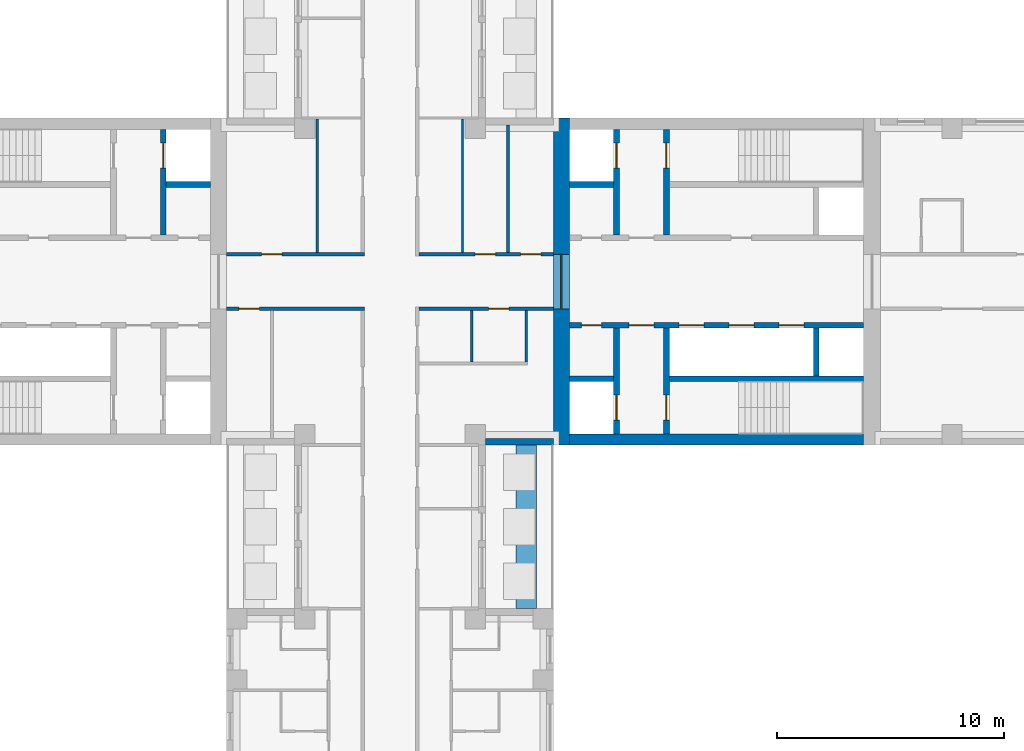
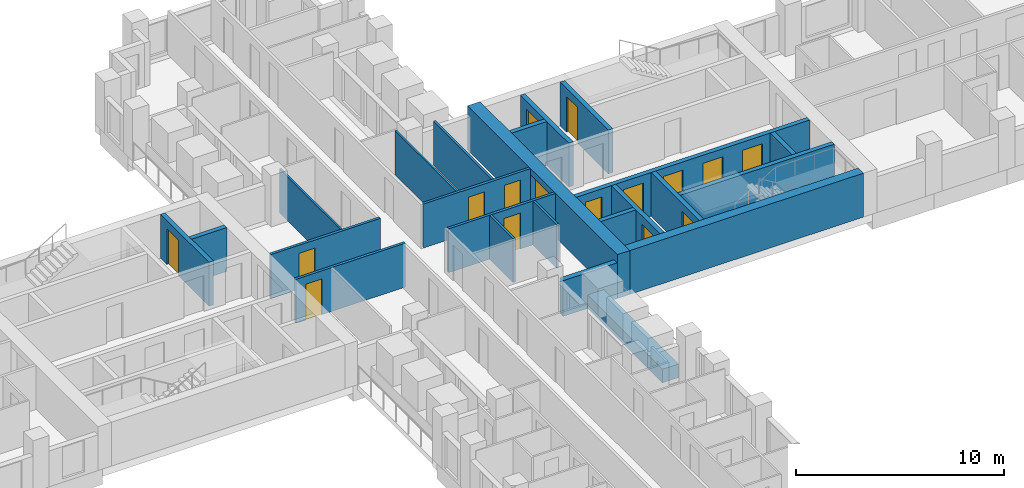
# One storey, part 8 of 14: 24 walls, 16 doors, 16 openings.
"""IFC4 building model written with IfcOpenShell, lengths in metres."""

from ifc_helpers import new_model, si_unit, direction, frame, frame_2d, origin, place, context, subcontext, project, spatial, rectangle, extrude, material, layer, layer_set, type_object, element, fill, save


model = new_model("IFC4")

# Units and contexts
model_context = context("Model", 3, precision=1e-05, world=origin(), true_north=direction((0.0, 1.0)))
body_context = subcontext(model_context, "Body", "Model", "MODEL_VIEW")
ifc_project = project(units=[si_unit("LENGTHUNIT", "METRE"), si_unit("AREAUNIT", "SQUARE_METRE"), si_unit("VOLUMEUNIT", "CUBIC_METRE"), si_unit("PLANEANGLEUNIT", "RADIAN"), si_unit("MASSUNIT", "GRAM", prefix="KILO")], contexts=[model_context])

# Site, building, storey
site_placement = place(None, origin())
site = spatial("IfcSite", under=ifc_project, at=site_placement, CompositionType="ELEMENT")
building_placement = place(site_placement, origin())
building = spatial("IfcBuilding", under=site, at=building_placement, Name="Fustian Cross Tower", CompositionType="ELEMENT")
storey_placement = place(building_placement, frame((0.0, 0.0, 99.89990234375)))
storey = spatial("IfcBuildingStorey", under=building, at=storey_placement, Name="L31", CompositionType="ELEMENT", Elevation=99.89990234375)

# Wall, opening, door
ifc_material_1 = material(Name="Plasterboard on steel stud", Category="steel")
ifc_layer_1 = layer(ifc_material_1, 0.14990234375)
ifc_layer_set_1 = layer_set([ifc_layer_1], Name="Plasterboard on steel stud")
wall_type_1 = type_object("IfcWallType", Name="COMPARTMENT WALL 150 EI 60", PredefinedType="PARTITIONING", material=ifc_layer_set_1)
wall_1_placement = place(storey_placement, frame((-7.199951171875, -1.199951171875, 0.0), z_axis=(0.0, 0.0, 1.0), x_axis=(1.0, 0.0, 0.0)))
wall_1 = element("IfcWall", 1, at=wall_1_placement, inside=storey, type_object=wall_type_1, Name="Partition 13", PredefinedType="PARTITIONING", context=body_context, shape_type="SweptSolid", body=[
    extrude(rectangle(XDim=6.074951171875, YDim=0.14990234375, at=frame_2d((3.03759765625, 0.0))), origin(), (0.0, 0.0, 1.0), 2.5751953125),
])
opening_1_placement = place(wall_1_placement, frame((0.550048828125, 0.0, 0.0)))
opening_1 = element("IfcOpeningElement", 2, at=opening_1_placement, cuts=wall_1, Name="Opening D14010", PredefinedType="OPENING", context=body_context, shape_type="SweptSolid", body=[
    extrude(rectangle(XDim=0.89990234375, YDim=2.10009765625, at=frame_2d((0.449951171875, 1.050048828125))), frame((0.0, 0.0849609375, 0.0), z_axis=(0.0, -1.0, 0.0), x_axis=(1.0, 0.0, 0.0)), (0.0, 0.0, 1.0), 0.169921875),
])
ifc_material_2 = material(Name="Timber fire door set", Category="wood")
door_type_1 = type_object("IfcDoorType", Name="FIRE SWING DOOR 900 FD30S", OperationType="SINGLE_SWING_LEFT", PredefinedType="DOOR", material=ifc_material_2)
door_1_placement = place(opening_1_placement, frame((0.89990234375, 0.0, 0.0), z_axis=(0.0, 0.0, 1.0), x_axis=(-1.0, 0.0, 0.0)))
door_1 = element("IfcDoor", 3, at=door_1_placement, inside=storey, type_object=door_type_1, Name="Door D14010", OperationType="SINGLE_SWING_RIGHT", OverallHeight=2.10009765625, OverallWidth=0.89990234375, PredefinedType="DOOR", context=body_context, shape_type="SweptSolid", body=[
    extrude(rectangle(XDim=0.89990234375, YDim=2.10009765625, at=frame_2d((0.449951171875, 1.050048828125))), frame((0.0, 0.02490234375, 0.0), z_axis=(0.0, -1.0, 0.0), x_axis=(1.0, 0.0, 0.0)), (0.0, 0.0, 1.0), 0.050048828125),
])
fill(opening_1, door_1)

wall_2_placement = place(storey_placement, frame((-7.199951171875, 1.199951171875, 0.0), z_axis=(0.0, 0.0, 1.0), x_axis=(1.0, 0.0, 0.0)))
wall_2 = element("IfcWall", 4, at=wall_2_placement, inside=storey, type_object=wall_type_1, Name="Partition 14", PredefinedType="PARTITIONING", context=body_context, shape_type="SweptSolid", body=[
    extrude(rectangle(XDim=6.074951171875, YDim=0.14990234375, at=frame_2d((3.03759765625, 0.0))), origin(), (0.0, 0.0, 1.0), 2.5751953125),
])
opening_2_placement = place(wall_2_placement, frame((1.550048828125, 0.0, 0.0)))
opening_2 = element("IfcOpeningElement", 5, at=opening_2_placement, cuts=wall_2, Name="Opening D14005", PredefinedType="OPENING", context=body_context, shape_type="SweptSolid", body=[
    extrude(rectangle(XDim=0.89990234375, YDim=2.10009765625, at=frame_2d((0.449951171875, 1.050048828125))), frame((0.0, 0.0849609375, 0.0), z_axis=(0.0, -1.0, 0.0), x_axis=(1.0, 0.0, 0.0)), (0.0, 0.0, 1.0), 0.169921875),
])
door_2_placement = place(opening_2_placement, origin())
door_2 = element("IfcDoor", 6, at=door_2_placement, inside=storey, type_object=door_type_1, Name="Door D14005", OperationType="SINGLE_SWING_LEFT", OverallHeight=2.10009765625, OverallWidth=0.89990234375, PredefinedType="DOOR", context=body_context, shape_type="SweptSolid", body=[
    extrude(rectangle(XDim=0.89990234375, YDim=2.10009765625, at=frame_2d((0.449951171875, 1.050048828125))), frame((0.0, 0.02490234375, 0.0), z_axis=(0.0, -1.0, 0.0), x_axis=(1.0, 0.0, 0.0)), (0.0, 0.0, 1.0), 0.050048828125),
])
fill(opening_2, door_2)

wall_3_placement = place(storey_placement, frame((1.27490234375, -1.199951171875, 0.0), z_axis=(0.0, 0.0, 1.0), x_axis=(1.0, 0.0, 0.0)))
wall_3 = element("IfcWall", 7, at=wall_3_placement, inside=storey, type_object=wall_type_1, Name="Partition 49", PredefinedType="PARTITIONING", context=body_context, shape_type="SweptSolid", body=[
    extrude(rectangle(XDim=5.925048828125, YDim=0.14990234375, at=frame_2d((2.96240234375, 0.0))), origin(), (0.0, 0.0, 1.0), 2.5751953125),
])
opening_3_placement = place(wall_3_placement, frame((3.074951171875, 0.0, 0.0)))
opening_3 = element("IfcOpeningElement", 8, at=opening_3_placement, cuts=wall_3, Name="Opening D14007", PredefinedType="OPENING", context=body_context, shape_type="SweptSolid", body=[
    extrude(rectangle(XDim=0.89990234375, YDim=2.10009765625, at=frame_2d((0.449951171875, 1.050048828125))), frame((0.0, 0.0849609375, 0.0), z_axis=(0.0, -1.0, 0.0), x_axis=(1.0, 0.0, 0.0)), (0.0, 0.0, 1.0), 0.169921875),
])
door_3_placement = place(opening_3_placement, frame((0.89990234375, 0.0, 0.0), z_axis=(0.0, 0.0, 1.0), x_axis=(-1.0, 0.0, 0.0)))
door_3 = element("IfcDoor", 9, at=door_3_placement, inside=storey, type_object=door_type_1, Name="Door D14007", OperationType="SINGLE_SWING_RIGHT", OverallHeight=2.10009765625, OverallWidth=0.89990234375, PredefinedType="DOOR", context=body_context, shape_type="SweptSolid", body=[
    extrude(rectangle(XDim=0.89990234375, YDim=2.10009765625, at=frame_2d((0.449951171875, 1.050048828125))), frame((0.0, 0.02490234375, 0.0), z_axis=(0.0, -1.0, 0.0), x_axis=(1.0, 0.0, 0.0)), (0.0, 0.0, 1.0), 0.050048828125),
])
fill(opening_3, door_3)

# Wall, openings, doors
wall_4_placement = place(storey_placement, frame((1.27490234375, 1.199951171875, 0.0), z_axis=(0.0, 0.0, 1.0), x_axis=(1.0, 0.0, 0.0)))
wall_4 = element("IfcWall", 10, at=wall_4_placement, inside=storey, type_object=wall_type_1, Name="Partition 51", PredefinedType="PARTITIONING", context=body_context, shape_type="SweptSolid", body=[
    extrude(rectangle(XDim=5.925048828125, YDim=0.14990234375, at=frame_2d((2.96240234375, 0.0))), origin(), (0.0, 0.0, 1.0), 2.5751953125),
])
opening_4_placement = place(wall_4_placement, frame((2.47509765625, 0.0, 0.0)))
opening_4 = element("IfcOpeningElement", 11, at=opening_4_placement, cuts=wall_4, Name="Opening D14002", PredefinedType="OPENING", context=body_context, shape_type="SweptSolid", body=[
    extrude(rectangle(XDim=0.89990234375, YDim=2.10009765625, at=frame_2d((0.449951171875, 1.050048828125))), frame((0.0, 0.0849609375, 0.0), z_axis=(0.0, -1.0, 0.0), x_axis=(1.0, 0.0, 0.0)), (0.0, 0.0, 1.0), 0.169921875),
])
opening_5_placement = place(wall_4_placement, frame((4.47509765625, 0.0, 0.0)))
opening_5 = element("IfcOpeningElement", 12, at=opening_5_placement, cuts=wall_4, Name="Opening D14003", PredefinedType="OPENING", context=body_context, shape_type="SweptSolid", body=[
    extrude(rectangle(XDim=0.89990234375, YDim=2.10009765625, at=frame_2d((0.449951171875, 1.050048828125))), frame((0.0, 0.0849609375, 0.0), z_axis=(0.0, -1.0, 0.0), x_axis=(1.0, 0.0, 0.0)), (0.0, 0.0, 1.0), 0.169921875),
])
door_4_placement = place(opening_4_placement, origin())
door_4 = element("IfcDoor", 13, at=door_4_placement, inside=storey, type_object=door_type_1, Name="Door D14002", OperationType="SINGLE_SWING_LEFT", OverallHeight=2.10009765625, OverallWidth=0.89990234375, PredefinedType="DOOR", context=body_context, shape_type="SweptSolid", body=[
    extrude(rectangle(XDim=0.89990234375, YDim=2.10009765625, at=frame_2d((0.449951171875, 1.050048828125))), frame((0.0, 0.02490234375, 0.0), z_axis=(0.0, -1.0, 0.0), x_axis=(1.0, 0.0, 0.0)), (0.0, 0.0, 1.0), 0.050048828125),
])
fill(opening_4, door_4)
door_5_placement = place(opening_5_placement, origin())
door_5 = element("IfcDoor", 14, at=door_5_placement, inside=storey, type_object=door_type_1, Name="Door D14003", OperationType="SINGLE_SWING_LEFT", OverallHeight=2.10009765625, OverallWidth=0.89990234375, PredefinedType="DOOR", context=body_context, shape_type="SweptSolid", body=[
    extrude(rectangle(XDim=0.89990234375, YDim=2.10009765625, at=frame_2d((0.449951171875, 1.050048828125))), frame((0.0, 0.02490234375, 0.0), z_axis=(0.0, -1.0, 0.0), x_axis=(1.0, 0.0, 0.0)), (0.0, 0.0, 1.0), 0.050048828125),
])
fill(opening_5, door_5)

# Wall, opening, door
ifc_material_3 = material(Name="Concrete C70/85", Category="concrete")
ifc_layer_2 = layer(ifc_material_3, 0.699951171875)
ifc_layer_set_2 = layer_set([ifc_layer_2], Name="Concrete C70/85")
wall_type_2 = type_object("IfcWallType", Name="CORE END WALL 700 C70/85", PredefinedType="SHEAR", material=ifc_layer_set_2)
wall_5_placement = place(storey_placement, frame((7.550048828125, -7.199951171875, 0.0), z_axis=(0.0, 0.0, 1.0), x_axis=(0.0, 1.0, 0.0)))
wall_5 = element("IfcWall", 15, at=wall_5_placement, inside=storey, type_object=wall_type_2, Name="Core end wall", PredefinedType="SHEAR", context=body_context, shape_type="SweptSolid", body=[
    extrude(rectangle(XDim=14.39990234375, YDim=0.699951171875, at=frame_2d((7.199951171875, 0.0))), origin(), (0.0, 0.0, 1.0), 2.5751953125),
])
opening_6_placement = place(wall_5_placement, frame((6.0, 0.0, 0.0)))
opening_6 = element("IfcOpeningElement", 16, at=opening_6_placement, cuts=wall_5, Name="Opening CD-09-12", PredefinedType="OPENING", context=body_context, shape_type="SweptSolid", body=[
    extrude(rectangle(XDim=2.39990234375, YDim=2.199951171875, at=frame_2d((1.199951171875, 1.10009765625))), frame((0.0, 0.35986328125, 0.0), z_axis=(0.0, -1.0, 0.0), x_axis=(1.0, 0.0, 0.0)), (0.0, 0.0, 1.0), 0.719970703125),
])
ifc_material_4 = material(Name="Steel", Category="steel")
door_type_2 = type_object("IfcDoorType", Name="FIRE DOOR FD30S DOUBLE 2400X2200", OperationType="DOUBLE_DOOR_DOUBLE_SWING", PredefinedType="DOOR", material=ifc_material_4)
door_6_placement = place(opening_6_placement, frame((2.39990234375, 0.0, 0.0), z_axis=(0.0, 0.0, 1.0), x_axis=(-1.0, 0.0, 0.0)))
door_6 = element("IfcDoor", 17, at=door_6_placement, inside=storey, type_object=door_type_2, Name="Core door CD-09-12", OperationType="DOUBLE_DOOR_DOUBLE_SWING", OverallHeight=2.199951171875, OverallWidth=2.39990234375, PredefinedType="DOOR", context=body_context, shape_type="SweptSolid", body=[
    extrude(rectangle(XDim=2.39990234375, YDim=2.199951171875, at=frame_2d((1.199951171875, 1.10009765625))), frame((0.0, 0.02490234375, 0.0), z_axis=(0.0, -1.0, 0.0), x_axis=(1.0, 0.0, 0.0)), (0.0, 0.0, 1.0), 0.050048828125),
])
fill(opening_6, door_6)

# Wall
ifc_material_5 = material(Name="Concrete C70/85", Category="concrete")
ifc_layer_3 = layer(ifc_material_5, 0.5)
ifc_layer_set_3 = layer_set([ifc_layer_3], Name="Concrete C70/85")
wall_type_3 = type_object("IfcWallType", Name="CORE FACADE WALL 500 C70/85", PredefinedType="SHEAR", material=ifc_layer_set_3)
wall_6_placement = place(storey_placement, frame((7.89990234375, -6.949951171875, 0.0), z_axis=(0.0, 0.0, 1.0), x_axis=(1.0, 0.0, 0.0)))
element("IfcWall", 18, at=wall_6_placement, inside=storey, type_object=wall_type_3, Name="Core facade wall", PredefinedType="SHEAR", context=body_context, shape_type="SweptSolid", body=[
    extrude(rectangle(XDim=12.9501953125, YDim=0.5, at=frame_2d((6.47509765625, 0.0))), origin(), (0.0, 0.0, 1.0), 2.5751953125),
])

# Wall, openings, doors
ifc_material_6 = material(Name="Concrete C50/60", Category="concrete")
ifc_layer_4 = layer(ifc_material_6, 0.25)
ifc_layer_set_4 = layer_set([ifc_layer_4], Name="Concrete C50/60")
wall_type_4 = type_object("IfcWallType", Name="CORE LOBBY WALL 250 C50/60", PredefinedType="SHEAR", material=ifc_layer_set_4)
wall_7_placement = place(storey_placement, frame((7.89990234375, -1.925048828125, 0.0), z_axis=(0.0, 0.0, 1.0), x_axis=(1.0, 0.0, 0.0)))
wall_7 = element("IfcWall", 19, at=wall_7_placement, inside=storey, type_object=wall_type_4, Name="Core lobby wall", PredefinedType="SHEAR", context=body_context, shape_type="SweptSolid", body=[
    extrude(rectangle(XDim=12.9501953125, YDim=0.25, at=frame_2d((6.47509765625, 0.0))), origin(), (0.0, 0.0, 1.0), 2.5751953125),
])
opening_7_placement = place(wall_7_placement, frame((4.824951171875, 0.0, 0.0)))
opening_7 = element("IfcOpeningElement", 20, at=opening_7_placement, cuts=wall_7, Name="Opening LD", PredefinedType="OPENING", context=body_context, shape_type="SweptSolid", body=[
    extrude(rectangle(XDim=1.10009765625, YDim=2.10009765625, at=frame_2d((0.550048828125, 1.050048828125))), frame((0.0, 0.135009765625, 0.0), z_axis=(0.0, -1.0, 0.0), x_axis=(1.0, 0.0, 0.0)), (0.0, 0.0, 1.0), 0.27001953125),
])
opening_8_placement = place(wall_7_placement, frame((7.02490234375, 0.0, 0.0)))
opening_8 = element("IfcOpeningElement", 21, at=opening_8_placement, cuts=wall_7, Name="Opening LD", PredefinedType="OPENING", context=body_context, shape_type="SweptSolid", body=[
    extrude(rectangle(XDim=1.10009765625, YDim=2.10009765625, at=frame_2d((0.550048828125, 1.050048828125))), frame((0.0, 0.135009765625, 0.0), z_axis=(0.0, -1.0, 0.0), x_axis=(1.0, 0.0, 0.0)), (0.0, 0.0, 1.0), 0.27001953125),
])
opening_9_placement = place(wall_7_placement, frame((9.22509765625, 0.0, 0.0)))
opening_9 = element("IfcOpeningElement", 22, at=opening_9_placement, cuts=wall_7, Name="Opening LD", PredefinedType="OPENING", context=body_context, shape_type="SweptSolid", body=[
    extrude(rectangle(XDim=1.10009765625, YDim=2.10009765625, at=frame_2d((0.550048828125, 1.050048828125))), frame((0.0, 0.135009765625, 0.0), z_axis=(0.0, -1.0, 0.0), x_axis=(1.0, 0.0, 0.0)), (0.0, 0.0, 1.0), 0.27001953125),
])
opening_10_placement = place(wall_7_placement, frame((0.52490234375, 0.0, 0.0)))
opening_10 = element("IfcOpeningElement", 23, at=opening_10_placement, cuts=wall_7, Name="Opening CD-09-09", PredefinedType="OPENING", context=body_context, shape_type="SweptSolid", body=[
    extrude(rectangle(XDim=0.89990234375, YDim=2.10009765625, at=frame_2d((0.449951171875, 1.050048828125))), frame((0.0, 0.135009765625, 0.0), z_axis=(0.0, -1.0, 0.0), x_axis=(1.0, 0.0, 0.0)), (0.0, 0.0, 1.0), 0.27001953125),
])
opening_11_placement = place(wall_7_placement, frame((2.625, 0.0, 0.0)))
opening_11 = element("IfcOpeningElement", 24, at=opening_11_placement, cuts=wall_7, Name="Opening CD-09-11", PredefinedType="OPENING", context=body_context, shape_type="SweptSolid", body=[
    extrude(rectangle(XDim=1.10009765625, YDim=2.10009765625, at=frame_2d((0.550048828125, 1.050048828125))), frame((0.0, 0.135009765625, 0.0), z_axis=(0.0, -1.0, 0.0), x_axis=(1.0, 0.0, 0.0)), (0.0, 0.0, 1.0), 0.27001953125),
])
ifc_material_7 = material(Name="Steel", Category="steel")
door_type_3 = type_object("IfcDoorType", Name="FIRE DOOR FD30S 1100X2100", OperationType="SINGLE_SWING_LEFT", PredefinedType="DOOR", material=ifc_material_7)
door_7_placement = place(opening_11_placement, frame((1.10009765625, 0.0, 0.0), z_axis=(0.0, 0.0, 1.0), x_axis=(-1.0, 0.0, 0.0)))
door_7 = element("IfcDoor", 25, at=door_7_placement, inside=storey, type_object=door_type_3, Name="Core door CD-09-11", OperationType="SINGLE_SWING_RIGHT", OverallHeight=2.10009765625, OverallWidth=1.10009765625, PredefinedType="DOOR", context=body_context, shape_type="SweptSolid", body=[
    extrude(rectangle(XDim=1.10009765625, YDim=2.10009765625, at=frame_2d((0.550048828125, 1.050048828125))), frame((0.0, 0.02490234375, 0.0), z_axis=(0.0, -1.0, 0.0), x_axis=(1.0, 0.0, 0.0)), (0.0, 0.0, 1.0), 0.050048828125),
])
fill(opening_11, door_7)
ifc_material_8 = material(Name="Steel", Category="steel")
door_type_4 = type_object("IfcDoorType", Name="FIRE DOOR FD30S 900X2100", OperationType="SINGLE_SWING_LEFT", PredefinedType="DOOR", material=ifc_material_8)
door_8_placement = place(opening_10_placement, frame((0.89990234375, 0.0, 0.0), z_axis=(0.0, 0.0, 1.0), x_axis=(-1.0, 0.0, 0.0)))
door_8 = element("IfcDoor", 26, at=door_8_placement, inside=storey, type_object=door_type_4, Name="Core door CD-09-09", OperationType="SINGLE_SWING_RIGHT", OverallHeight=2.10009765625, OverallWidth=0.89990234375, PredefinedType="DOOR", context=body_context, shape_type="SweptSolid", body=[
    extrude(rectangle(XDim=0.89990234375, YDim=2.10009765625, at=frame_2d((0.449951171875, 1.050048828125))), frame((0.0, 0.02490234375, 0.0), z_axis=(0.0, -1.0, 0.0), x_axis=(1.0, 0.0, 0.0)), (0.0, 0.0, 1.0), 0.050048828125),
])
fill(opening_10, door_8)
ifc_material_9 = material(Name="Stainless steel", Category="steel")
door_type_5 = type_object("IfcDoorType", Name="LIFT LANDING DOOR 1100X2100", OperationType="SLIDING_TO_LEFT", PredefinedType="DOOR", material=ifc_material_9)
door_9_placement = place(opening_7_placement, origin())
door_9 = element("IfcDoor", 27, at=door_9_placement, inside=storey, type_object=door_type_5, Name="Landing door LR1", OperationType="SLIDING_TO_LEFT", OverallHeight=2.10009765625, OverallWidth=1.10009765625, PredefinedType="DOOR", context=body_context, shape_type="SweptSolid", body=[
    extrude(rectangle(XDim=1.10009765625, YDim=2.10009765625, at=frame_2d((0.550048828125, 1.050048828125))), frame((0.0, 0.02490234375, 0.0), z_axis=(0.0, -1.0, 0.0), x_axis=(1.0, 0.0, 0.0)), (0.0, 0.0, 1.0), 0.050048828125),
])
fill(opening_7, door_9)
door_10_placement = place(opening_8_placement, origin())
door_10 = element("IfcDoor", 28, at=door_10_placement, inside=storey, type_object=door_type_5, Name="Landing door LR2", OperationType="SLIDING_TO_LEFT", OverallHeight=2.10009765625, OverallWidth=1.10009765625, PredefinedType="DOOR", context=body_context, shape_type="SweptSolid", body=[
    extrude(rectangle(XDim=1.10009765625, YDim=2.10009765625, at=frame_2d((0.550048828125, 1.050048828125))), frame((0.0, 0.02490234375, 0.0), z_axis=(0.0, -1.0, 0.0), x_axis=(1.0, 0.0, 0.0)), (0.0, 0.0, 1.0), 0.050048828125),
])
fill(opening_8, door_10)
door_11_placement = place(opening_9_placement, origin())
door_11 = element("IfcDoor", 29, at=door_11_placement, inside=storey, type_object=door_type_5, Name="Landing door LR3", OperationType="SLIDING_TO_LEFT", OverallHeight=2.10009765625, OverallWidth=1.10009765625, PredefinedType="DOOR", context=body_context, shape_type="SweptSolid", body=[
    extrude(rectangle(XDim=1.10009765625, YDim=2.10009765625, at=frame_2d((0.550048828125, 1.050048828125))), frame((0.0, 0.02490234375, 0.0), z_axis=(0.0, -1.0, 0.0), x_axis=(1.0, 0.0, 0.0)), (0.0, 0.0, 1.0), 0.050048828125),
])
fill(opening_9, door_11)

# Wall
ifc_material_10 = material(Name="Concrete C50/60", Category="concrete")
ifc_layer_5 = layer(ifc_material_10, 0.25)
ifc_layer_set_5 = layer_set([ifc_layer_5], Name="Concrete C50/60")
wall_type_5 = type_object("IfcWallType", Name="CORE SHAFT WALL 250 C50/60", PredefinedType="SHEAR", material=ifc_layer_set_5)
wall_8_placement = place(storey_placement, frame((7.89990234375, 4.27490234375, 0.0), z_axis=(0.0, 0.0, 1.0), x_axis=(1.0, 0.0, 0.0)))
element("IfcWall", 30, at=wall_8_placement, inside=storey, type_object=wall_type_5, Name="Core shaft wall", PredefinedType="SHEAR", context=body_context, shape_type="SweptSolid", body=[
    extrude(rectangle(XDim=1.9501953125, YDim=0.25, at=frame_2d((0.97509765625, 0.0))), origin(), (0.0, 0.0, 1.0), 2.5751953125),
])

# Wall, opening, door
wall_9_placement = place(storey_placement, frame((9.97509765625, 2.050048828125, 0.0), z_axis=(0.0, 0.0, 1.0), x_axis=(0.0, 1.0, 0.0)))
wall_9 = element("IfcWall", 31, at=wall_9_placement, inside=storey, type_object=wall_type_5, Name="Core shaft wall", PredefinedType="SHEAR", context=body_context, shape_type="SweptSolid", body=[
    extrude(rectangle(XDim=4.64990234375, YDim=0.25, at=frame_2d((2.324951171875, 0.0))), origin(), (0.0, 0.0, 1.0), 2.5751953125),
])
opening_12_placement = place(wall_9_placement, frame((2.949951171875, 0.0, 0.0)))
opening_12 = element("IfcOpeningElement", 32, at=opening_12_placement, cuts=wall_9, Name="Opening LD", PredefinedType="OPENING", context=body_context, shape_type="SweptSolid", body=[
    extrude(rectangle(XDim=1.10009765625, YDim=2.10009765625, at=frame_2d((0.550048828125, 1.050048828125))), frame((0.0, 0.135009765625, 0.0), z_axis=(0.0, -1.0, 0.0), x_axis=(1.0, 0.0, 0.0)), (0.0, 0.0, 1.0), 0.27001953125),
])
door_12_placement = place(opening_12_placement, origin())
door_12 = element("IfcDoor", 33, at=door_12_placement, inside=storey, type_object=door_type_5, Name="Landing door FL1", OperationType="SLIDING_TO_LEFT", OverallHeight=2.10009765625, OverallWidth=1.10009765625, PredefinedType="DOOR", context=body_context, shape_type="SweptSolid", body=[
    extrude(rectangle(XDim=1.10009765625, YDim=2.10009765625, at=frame_2d((0.550048828125, 1.050048828125))), frame((0.0, 0.02490234375, 0.0), z_axis=(0.0, -1.0, 0.0), x_axis=(1.0, 0.0, 0.0)), (0.0, 0.0, 1.0), 0.050048828125),
])
fill(opening_12, door_12)

wall_10_placement = place(storey_placement, frame((12.175048828125, 2.050048828125, 0.0), z_axis=(0.0, 0.0, 1.0), x_axis=(0.0, 1.0, 0.0)))
wall_10 = element("IfcWall", 34, at=wall_10_placement, inside=storey, type_object=wall_type_5, Name="Core shaft wall", PredefinedType="SHEAR", context=body_context, shape_type="SweptSolid", body=[
    extrude(rectangle(XDim=4.64990234375, YDim=0.25, at=frame_2d((2.324951171875, 0.0))), origin(), (0.0, 0.0, 1.0), 2.5751953125),
])
opening_13_placement = place(wall_10_placement, frame((2.949951171875, 0.0, 0.0)))
opening_13 = element("IfcOpeningElement", 35, at=opening_13_placement, cuts=wall_10, Name="Opening CD-09-06", PredefinedType="OPENING", context=body_context, shape_type="SweptSolid", body=[
    extrude(rectangle(XDim=1.10009765625, YDim=2.10009765625, at=frame_2d((0.550048828125, 1.050048828125))), frame((0.0, 0.135009765625, 0.0), z_axis=(0.0, -1.0, 0.0), x_axis=(1.0, 0.0, 0.0)), (0.0, 0.0, 1.0), 0.27001953125),
])
ifc_material_11 = material(Name="Steel", Category="steel")
door_type_6 = type_object("IfcDoorType", Name="FIRE DOOR FD60S 1100X2100", OperationType="SINGLE_SWING_LEFT", PredefinedType="DOOR", material=ifc_material_11)
door_13_placement = place(opening_13_placement, frame((1.10009765625, 0.0, 0.0), z_axis=(0.0, 0.0, 1.0), x_axis=(-1.0, 0.0, 0.0)))
door_13 = element("IfcDoor", 36, at=door_13_placement, inside=storey, type_object=door_type_6, Name="Core door CD-09-06", OperationType="SINGLE_SWING_RIGHT", OverallHeight=2.10009765625, OverallWidth=1.10009765625, PredefinedType="DOOR", context=body_context, shape_type="SweptSolid", body=[
    extrude(rectangle(XDim=1.10009765625, YDim=2.10009765625, at=frame_2d((0.550048828125, 1.050048828125))), frame((0.0, 0.02490234375, 0.0), z_axis=(0.0, -1.0, 0.0), x_axis=(1.0, 0.0, 0.0)), (0.0, 0.0, 1.0), 0.050048828125),
])
fill(opening_13, door_13)

# Walls
wall_11_placement = place(storey_placement, frame((7.89990234375, -4.27490234375, 0.0), z_axis=(0.0, 0.0, 1.0), x_axis=(1.0, 0.0, 0.0)))
element("IfcWall", 37, at=wall_11_placement, inside=storey, type_object=wall_type_5, Name="Core shaft wall", PredefinedType="SHEAR", context=body_context, shape_type="SweptSolid", body=[
    extrude(rectangle(XDim=1.9501953125, YDim=0.25, at=frame_2d((0.97509765625, 0.0))), origin(), (0.0, 0.0, 1.0), 2.5751953125),
])
wall_12_placement = place(storey_placement, frame((12.300048828125, -4.27490234375, 0.0), z_axis=(0.0, 0.0, 1.0), x_axis=(1.0, 0.0, 0.0)))
element("IfcWall", 38, at=wall_12_placement, inside=storey, type_object=wall_type_5, Name="Core shaft wall", PredefinedType="SHEAR", context=body_context, shape_type="SweptSolid", body=[
    extrude(rectangle(XDim=8.550048828125, YDim=0.25, at=frame_2d((4.27490234375, 0.0))), origin(), (0.0, 0.0, 1.0), 2.5751953125),
])

# Wall, opening, door
wall_13_placement = place(storey_placement, frame((9.97509765625, -2.050048828125, 0.0), z_axis=(0.0, 0.0, 1.0), x_axis=(0.0, -1.0, 0.0)))
wall_13 = element("IfcWall", 39, at=wall_13_placement, inside=storey, type_object=wall_type_5, Name="Core shaft wall", PredefinedType="SHEAR", context=body_context, shape_type="SweptSolid", body=[
    extrude(rectangle(XDim=4.64990234375, YDim=0.25, at=frame_2d((2.324951171875, 0.0))), origin(), (0.0, 0.0, 1.0), 2.5751953125),
])
opening_14_placement = place(wall_13_placement, frame((2.949951171875, 0.0, 0.0)))
opening_14 = element("IfcOpeningElement", 40, at=opening_14_placement, cuts=wall_13, Name="Opening LD", PredefinedType="OPENING", context=body_context, shape_type="SweptSolid", body=[
    extrude(rectangle(XDim=1.10009765625, YDim=2.10009765625, at=frame_2d((0.550048828125, 1.050048828125))), frame((0.0, 0.135009765625, 0.0), z_axis=(0.0, -1.0, 0.0), x_axis=(1.0, 0.0, 0.0)), (0.0, 0.0, 1.0), 0.27001953125),
])
door_14_placement = place(opening_14_placement, origin())
door_14 = element("IfcDoor", 41, at=door_14_placement, inside=storey, type_object=door_type_5, Name="Landing door SV1", OperationType="SLIDING_TO_LEFT", OverallHeight=2.10009765625, OverallWidth=1.10009765625, PredefinedType="DOOR", context=body_context, shape_type="SweptSolid", body=[
    extrude(rectangle(XDim=1.10009765625, YDim=2.10009765625, at=frame_2d((0.550048828125, 1.050048828125))), frame((0.0, 0.02490234375, 0.0), z_axis=(0.0, -1.0, 0.0), x_axis=(1.0, 0.0, 0.0)), (0.0, 0.0, 1.0), 0.050048828125),
])
fill(opening_14, door_14)

wall_14_placement = place(storey_placement, frame((12.175048828125, -2.050048828125, 0.0), z_axis=(0.0, 0.0, 1.0), x_axis=(0.0, -1.0, 0.0)))
wall_14 = element("IfcWall", 42, at=wall_14_placement, inside=storey, type_object=wall_type_5, Name="Core shaft wall", PredefinedType="SHEAR", context=body_context, shape_type="SweptSolid", body=[
    extrude(rectangle(XDim=4.64990234375, YDim=0.25, at=frame_2d((2.324951171875, 0.0))), origin(), (0.0, 0.0, 1.0), 2.5751953125),
])
opening_15_placement = place(wall_14_placement, frame((2.949951171875, 0.0, 0.0)))
opening_15 = element("IfcOpeningElement", 43, at=opening_15_placement, cuts=wall_14, Name="Opening CD-09-07", PredefinedType="OPENING", context=body_context, shape_type="SweptSolid", body=[
    extrude(rectangle(XDim=1.10009765625, YDim=2.10009765625, at=frame_2d((0.550048828125, 1.050048828125))), frame((0.0, 0.135009765625, 0.0), z_axis=(0.0, -1.0, 0.0), x_axis=(1.0, 0.0, 0.0)), (0.0, 0.0, 1.0), 0.27001953125),
])
door_15_placement = place(opening_15_placement, origin())
door_15 = element("IfcDoor", 44, at=door_15_placement, inside=storey, type_object=door_type_6, Name="Core door CD-09-07", OperationType="SINGLE_SWING_LEFT", OverallHeight=2.10009765625, OverallWidth=1.10009765625, PredefinedType="DOOR", context=body_context, shape_type="SweptSolid", body=[
    extrude(rectangle(XDim=1.10009765625, YDim=2.10009765625, at=frame_2d((0.550048828125, 1.050048828125))), frame((0.0, 0.02490234375, 0.0), z_axis=(0.0, -1.0, 0.0), x_axis=(1.0, 0.0, 0.0)), (0.0, 0.0, 1.0), 0.050048828125),
])
fill(opening_15, door_15)

# Wall
wall_15_placement = place(storey_placement, frame((-7.89990234375, 4.27490234375, 0.0), z_axis=(0.0, 0.0, 1.0), x_axis=(-1.0, 0.0, 0.0)))
element("IfcWall", 45, at=wall_15_placement, inside=storey, type_object=wall_type_5, Name="Core shaft wall", PredefinedType="SHEAR", context=body_context, shape_type="SweptSolid", body=[
    extrude(rectangle(XDim=1.9501953125, YDim=0.25, at=frame_2d((0.97509765625, 0.0))), origin(), (0.0, 0.0, 1.0), 2.5751953125),
])

# Wall, opening, door
wall_16_placement = place(storey_placement, frame((-9.97509765625, 2.050048828125, 0.0), z_axis=(0.0, 0.0, 1.0), x_axis=(0.0, 1.0, 0.0)))
wall_16 = element("IfcWall", 46, at=wall_16_placement, inside=storey, type_object=wall_type_5, Name="Core shaft wall", PredefinedType="SHEAR", context=body_context, shape_type="SweptSolid", body=[
    extrude(rectangle(XDim=4.64990234375, YDim=0.25, at=frame_2d((2.324951171875, 0.0))), origin(), (0.0, 0.0, 1.0), 2.5751953125),
])
opening_16_placement = place(wall_16_placement, frame((2.949951171875, 0.0, 0.0)))
opening_16 = element("IfcOpeningElement", 47, at=opening_16_placement, cuts=wall_16, Name="Opening LD", PredefinedType="OPENING", context=body_context, shape_type="SweptSolid", body=[
    extrude(rectangle(XDim=1.10009765625, YDim=2.10009765625, at=frame_2d((0.550048828125, 1.050048828125))), frame((0.0, 0.135009765625, 0.0), z_axis=(0.0, -1.0, 0.0), x_axis=(1.0, 0.0, 0.0)), (0.0, 0.0, 1.0), 0.27001953125),
])
door_16_placement = place(opening_16_placement, origin())
door_16 = element("IfcDoor", 48, at=door_16_placement, inside=storey, type_object=door_type_5, Name="Landing door FL1W", OperationType="SLIDING_TO_LEFT", OverallHeight=2.10009765625, OverallWidth=1.10009765625, PredefinedType="DOOR", context=body_context, shape_type="SweptSolid", body=[
    extrude(rectangle(XDim=1.10009765625, YDim=2.10009765625, at=frame_2d((0.550048828125, 1.050048828125))), frame((0.0, 0.02490234375, 0.0), z_axis=(0.0, -1.0, 0.0), x_axis=(1.0, 0.0, 0.0)), (0.0, 0.0, 1.0), 0.050048828125),
])
fill(opening_16, door_16)

# Walls
ifc_material_12 = material(Name="Plasterboard on steel stud", Category="steel")
ifc_layer_6 = layer(ifc_material_12, 0.10009765625)
ifc_layer_set_6 = layer_set([ifc_layer_6], Name="Plasterboard on steel stud")
wall_type_6 = type_object("IfcWallType", Name="PARTITION 100 STUD", PredefinedType="PARTITIONING", material=ifc_layer_set_6)
for number, where, z_axis, x_axis, name in (
    (49, (-3.199951171875, 1.27490234375, 0.0), (0.0, 0.0, 1.0), (0.0, 1.0, 0.0), "Partition 38"),
    (50, (3.199951171875, 1.27490234375, 0.0), (0.0, 0.0, 1.0), (0.0, 1.0, 0.0), "Partition 67"),
):
    element("IfcWall", number, at=place(storey_placement, frame(where, z_axis=z_axis, x_axis=x_axis)), inside=storey, type_object=wall_type_6, Name=name, PredefinedType="PARTITIONING", context=body_context, shape_type="SweptSolid", body=[
        extrude(rectangle(XDim=5.875, YDim=0.10009765625, at=frame_2d((2.9375, 0.0))), origin(), (0.0, 0.0, 1.0), 2.5751953125),
    ])
ifc_material_13 = material(Name="Concrete C40/50", Category="concrete")
ifc_layer_7 = layer(ifc_material_13, 0.89990234375)
ifc_layer_set_7 = layer_set([ifc_layer_7], Name="Concrete C40/50")
wall_type_7 = type_object("IfcWallType", Name="PK1 PLANTER 900", PredefinedType="PARAPET", material=ifc_layer_set_7)
wall_17_placement = place(storey_placement, frame((6.0, -14.39990234375, 0.0), z_axis=(0.0, 0.0, 1.0), x_axis=(0.0, 1.0, 0.0)))
element("IfcWall", 51, at=wall_17_placement, inside=storey, type_object=wall_type_7, Name="PLANTER", PredefinedType="PARAPET", context=body_context, shape_type="SweptSolid", body=[
    extrude(rectangle(XDim=7.199951171875, YDim=0.89990234375, at=frame_2d((3.60009765625, 0.0))), origin(), (0.0, 0.0, 1.0), 0.800048828125),
])
ifc_material_14 = material(Name="Concrete C40/50", Category="concrete")
ifc_layer_8 = layer(ifc_material_14, 0.25)
ifc_layer_set_8 = layer_set([ifc_layer_8], Name="Concrete C40/50")
wall_type_8 = type_object("IfcWallType", Name="SHAFT PARTITION WALL 250 C40/50", PredefinedType="PARTITIONING", material=ifc_layer_set_8)
wall_18_placement = place(storey_placement, frame((18.77490234375, -2.050048828125, 0.0), z_axis=(0.0, 0.0, 1.0), x_axis=(0.0, -1.0, 0.0)))
element("IfcWall", 52, at=wall_18_placement, inside=storey, type_object=wall_type_8, Name="Core shaft wall", PredefinedType="PARTITIONING", context=body_context, shape_type="SweptSolid", body=[
    extrude(rectangle(XDim=2.099853515625, YDim=0.25, at=frame_2d((1.0498046875, 0.0))), origin(), (0.0, 0.0, 1.0), 2.5751953125),
])
ifc_material_15 = material(Name="Plasterboard on steel stud", Category="steel")
ifc_layer_9 = layer(ifc_material_15, 0.125)
ifc_layer_set_9 = layer_set([ifc_layer_9], Name="Plasterboard on steel stud")
wall_type_9 = type_object("IfcWallType", Name="WET WALL 125 STUD", PredefinedType="PARTITIONING", material=ifc_layer_set_9)
wall_19_placement = place(storey_placement, frame((3.60009765625, -3.53759765625, 0.0), z_axis=(0.0, 0.0, 1.0), x_axis=(0.0, 1.0, 0.0)))
element("IfcWall", 53, at=wall_19_placement, inside=storey, type_object=wall_type_9, Name="Partition 68", PredefinedType="PARTITIONING", context=body_context, shape_type="SweptSolid", body=[
    extrude(rectangle(XDim=2.2626953125, YDim=0.125, at=frame_2d((1.13134765625, 0.0))), origin(), (0.0, 0.0, 1.0), 2.5751953125),
])
wall_20_placement = place(storey_placement, frame((5.199951171875, 1.27490234375, 0.0), z_axis=(0.0, 0.0, 1.0), x_axis=(0.0, 1.0, 0.0)))
element("IfcWall", 54, at=wall_20_placement, inside=storey, type_object=wall_type_9, Name="Partition 76", PredefinedType="PARTITIONING", context=body_context, shape_type="SweptSolid", body=[
    extrude(rectangle(XDim=5.625, YDim=0.125, at=frame_2d((2.8125, 0.0))), origin(), (0.0, 0.0, 1.0), 2.5751953125),
])
wall_21_placement = place(storey_placement, frame((6.0, -3.53759765625, 0.0), z_axis=(0.0, 0.0, 1.0), x_axis=(0.0, 1.0, 0.0)))
element("IfcWall", 55, at=wall_21_placement, inside=storey, type_object=wall_type_9, Name="Partition 77", PredefinedType="PARTITIONING", context=body_context, shape_type="SweptSolid", body=[
    extrude(rectangle(XDim=2.2626953125, YDim=0.125, at=frame_2d((1.13134765625, 0.0))), origin(), (0.0, 0.0, 1.0), 2.5751953125),
])
ifc_material_16 = material(Name="Dark aluminium cladding on insulated backing wall", Category="aluminium")
ifc_layer_10 = layer(ifc_material_16, 0.300048828125)
ifc_layer_set_10 = layer_set([ifc_layer_10], Name="Dark aluminium cladding on insulated backing wall")
wall_type_10 = type_object("IfcWallType", Name="XW1 EXTERNAL WALL 300", PredefinedType="SOLIDWALL", material=ifc_layer_set_10)
wall_22_placement = place(storey_placement, frame((4.199951171875, -7.050048828125, 0.0), z_axis=(0.0, 0.0, 1.0), x_axis=(1.0, 0.0, 0.0)))
element("IfcWall", 56, at=wall_22_placement, inside=storey, type_object=wall_type_10, Name="External wall", PredefinedType="SOLIDWALL", context=body_context, shape_type="SweptSolid", body=[
    extrude(rectangle(XDim=3.0, YDim=0.300048828125, at=frame_2d((1.5, 0.0))), origin(), (0.0, 0.0, 1.0), 2.10009765625),
])

save(model, "model.ifc")
